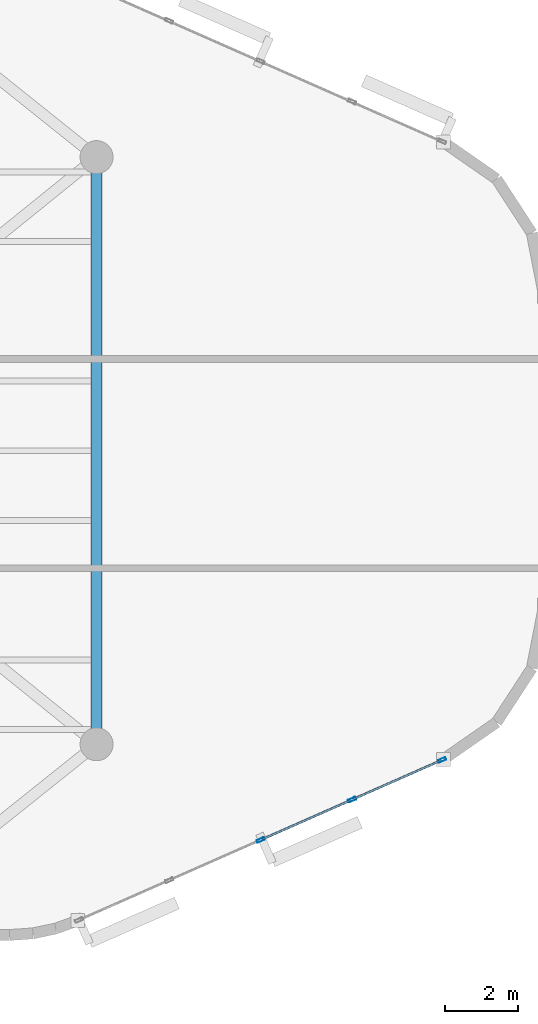
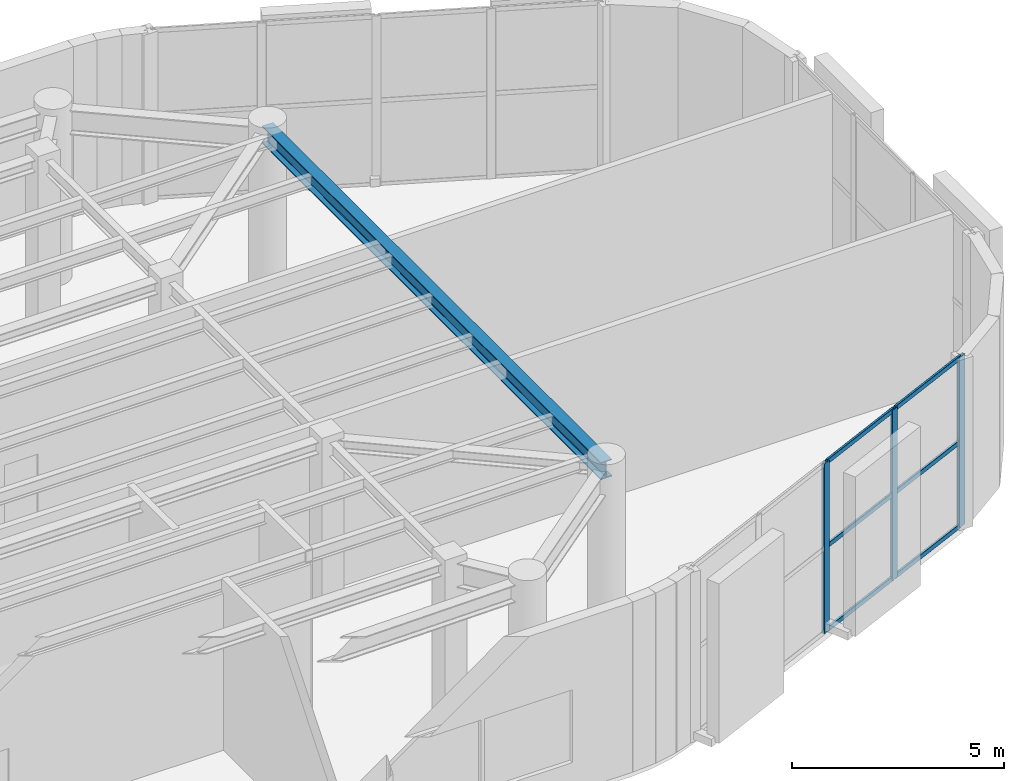
# One storey, part 3 of 12: 9 members, 1 beam, 1 element without a shape of its own.
"""IFC4 building model written with IfcOpenShell, lengths in metres."""

from ifc_helpers import new_model, si_unit, direction, frame, origin, origin_2d, place, context, subcontext, project, spatial, hollow_rectangle, i_section, extrude, material, layer, layer_set, material_profile, profile_set, type_object, element, aggregate, save


model = new_model("IFC4")

# Units and contexts
model_context = context("Model", 3, precision=1e-05, world=origin(), true_north=direction((0.0, 1.0)))
body_context = subcontext(model_context, "Body", "Model", "MODEL_VIEW")
ifc_project = project(units=[si_unit("LENGTHUNIT", "METRE"), si_unit("AREAUNIT", "SQUARE_METRE"), si_unit("VOLUMEUNIT", "CUBIC_METRE"), si_unit("PLANEANGLEUNIT", "RADIAN"), si_unit("MASSUNIT", "GRAM", prefix="KILO")], contexts=[model_context])

# Site, building, storey
site_placement = place(None, origin())
site = spatial("IfcSite", under=ifc_project, at=site_placement, CompositionType="ELEMENT")
building_placement = place(site_placement, origin())
building = spatial("IfcBuilding", under=site, at=building_placement, Name="An Khanh Terracotta Commons", CompositionType="ELEMENT")
storey_placement = place(building_placement, frame((0.0, 0.0, 253.699951171875)))
storey = spatial("IfcBuildingStorey", under=building, at=storey_placement, Name="L66", CompositionType="ELEMENT", Elevation=253.699951171875)

# Beam
ifc_material_1 = material(Name="Steel S355J2", Category="steel")
ifc_material_profile_1 = material_profile(ifc_material_1, i_section(OverallWidth=0.300048828125, OverallDepth=0.5, WebThickness=0.014404296875, FlangeThickness=0.028076171875, FilletRadius=0.027099609375, at=origin_2d()), Name="HEB500")
ifc_profile_set_1 = profile_set([ifc_material_profile_1], Name="Steel S355J2")
beam_type = type_object("IfcBeamType", Name="BM-HEB500", PredefinedType="BEAM", material=ifc_profile_set_1)
beam_placement = place(storey_placement, frame((63.39990234375, 16.0, 4.650146484375), z_axis=(0.0, 1.0, 0.0), x_axis=(-1.0, 0.0, 0.0)))
element("IfcBeam", 1, at=beam_placement, inside=storey, type_object=beam_type, Name="L66 Perimeter Ring Spandrel 3", PredefinedType="BEAM", context=body_context, shape_type="SweptSolid", body=[
    extrude(i_section(OverallWidth=0.300048828125, OverallDepth=0.5, WebThickness=0.014404296875, FlangeThickness=0.028076171875, FilletRadius=0.027099609375, at=origin_2d()), origin(), (0.0, 0.0, 1.0), 16.0),
])

# Curtain wall, members
ifc_material_2 = material(Name="Anodised Aluminium 6063-T6", Category="aluminium")
ifc_layer = layer(ifc_material_2, 0.239990234375, Name="Anodised Aluminium 6063-T6")
ifc_layer_set = layer_set([ifc_layer], Name="Anodised Aluminium 6063-T6")
curtain_wall_type = type_object("IfcCurtainWallType", Name="CW-SYS-04", PredefinedType="USERDEFINED", material=ifc_layer_set)
curtain_wall_placement = place(storey_placement, origin())
curtain_wall = element("IfcCurtainWall", 2, at=curtain_wall_placement, inside=storey, type_object=curtain_wall_type, Name="L66 CW-04 Unitised Curtain Wall CW-L66-08", ObjectType="UNITISED CURTAIN WALL", PredefinedType="USERDEFINED")
ifc_material_profile_2 = material_profile(ifc_material_2, hollow_rectangle(XDim=0.080078125, YDim=0.219970703125, WallThickness=0.0048828125, InnerFilletRadius=0.0048828125, OuterFilletRadius=0.010009765625, at=origin_2d()), Name="RHS220x80x5")
ifc_profile_set_2 = profile_set([ifc_material_profile_2], Name="Anodised Aluminium 6063-T6")
member_type_1 = type_object("IfcMemberType", Name="CWM-RHS220x80x5", PredefinedType="MULLION", material=ifc_profile_set_2)
member_1_placement = place(storey_placement, frame((67.8720703125, 13.390380859375, 0.0), z_axis=(0.0, 0.0, 1.0), x_axis=(-0.403676354285, 0.914901853201, 0.0)))
member_1 = element("IfcMember", 3, at=member_1_placement, type_object=member_type_1, Name="CW-04 mullion 3", PredefinedType="MULLION", context=body_context, shape_type="SweptSolid", body=[
    extrude(hollow_rectangle(XDim=0.080078125, YDim=0.219970703125, WallThickness=0.0048828125, InnerFilletRadius=0.0048828125, OuterFilletRadius=0.010009765625, at=origin_2d()), origin(), (0.0, 0.0, 1.0), 4.900146484375),
])
member_2_placement = place(storey_placement, frame((70.364501953125, 14.490234375, 0.0), z_axis=(0.0, 0.0, 1.0), x_axis=(-0.403676354285, 0.914901853201, 0.0)))
member_2 = element("IfcMember", 4, at=member_2_placement, type_object=member_type_1, Name="CW-04 mullion 4", PredefinedType="MULLION", context=body_context, shape_type="SweptSolid", body=[
    extrude(hollow_rectangle(XDim=0.080078125, YDim=0.219970703125, WallThickness=0.0048828125, InnerFilletRadius=0.0048828125, OuterFilletRadius=0.010009765625, at=origin_2d()), origin(), (0.0, 0.0, 1.0), 4.900146484375),
])
member_3_placement = place(storey_placement, frame((72.8203125, 15.573974609375, 0.0), z_axis=(0.0, 0.0, 1.0), x_axis=(-0.403676354285, 0.914901853201, 0.0)))
member_3 = element("IfcMember", 5, at=member_3_placement, type_object=member_type_1, Name="CW-04 mullion 5", PredefinedType="MULLION", context=body_context, shape_type="SweptSolid", body=[
    extrude(hollow_rectangle(XDim=0.080078125, YDim=0.219970703125, WallThickness=0.0048828125, InnerFilletRadius=0.0048828125, OuterFilletRadius=0.010009765625, at=origin_2d()), origin(), (0.0, 0.0, 1.0), 4.900146484375),
])
ifc_material_profile_3 = material_profile(ifc_material_2, hollow_rectangle(XDim=0.06005859375, YDim=0.135009765625, WallThickness=0.003662109375, InnerFilletRadius=0.003662109375, OuterFilletRadius=0.007080078125, at=origin_2d()), Name="RHS135x60x3.6")
ifc_profile_set_3 = profile_set([ifc_material_profile_3], Name="Anodised Aluminium 6063-T6")
member_type_2 = type_object("IfcMemberType", Name="CWT-RHS135x60x3.6", PredefinedType="USERDEFINED", material=ifc_profile_set_3)
member_4_placement = place(storey_placement, frame((67.90869140625, 13.40673828125, 0.030029296875), z_axis=(0.914904763816, 0.403669757534, 0.0), x_axis=(-0.403669757534, 0.914904763816, 0.0)))
member_4 = element("IfcMember", 6, at=member_4_placement, type_object=member_type_2, Name="CW-04 transom 3.1", ObjectType="TRANSOM", PredefinedType="USERDEFINED", context=body_context, shape_type="SweptSolid", body=[
    extrude(hollow_rectangle(XDim=0.06005859375, YDim=0.135009765625, WallThickness=0.003662109375, InnerFilletRadius=0.003662109375, OuterFilletRadius=0.007080078125, at=origin_2d()), origin(), (0.0, 0.0, 1.0), 2.644287109375),
])
member_5_placement = place(storey_placement, frame((67.90869140625, 13.40673828125, 2.449951171875), z_axis=(0.914904763816, 0.403669757534, 0.0), x_axis=(-0.403669757534, 0.914904763816, 0.0)))
member_5 = element("IfcMember", 7, at=member_5_placement, type_object=member_type_2, Name="CW-04 transom 3.2", ObjectType="TRANSOM", PredefinedType="USERDEFINED", context=body_context, shape_type="SweptSolid", body=[
    extrude(hollow_rectangle(XDim=0.06005859375, YDim=0.135009765625, WallThickness=0.003662109375, InnerFilletRadius=0.003662109375, OuterFilletRadius=0.007080078125, at=origin_2d()), origin(), (0.0, 0.0, 1.0), 2.644287109375),
])
member_6_placement = place(storey_placement, frame((67.90869140625, 13.40673828125, 4.8701171875), z_axis=(0.914904763816, 0.403669757534, 0.0), x_axis=(-0.403669757534, 0.914904763816, 0.0)))
member_6 = element("IfcMember", 8, at=member_6_placement, type_object=member_type_2, Name="CW-04 transom 3.3", ObjectType="TRANSOM", PredefinedType="USERDEFINED", context=body_context, shape_type="SweptSolid", body=[
    extrude(hollow_rectangle(XDim=0.06005859375, YDim=0.135009765625, WallThickness=0.003662109375, InnerFilletRadius=0.003662109375, OuterFilletRadius=0.007080078125, at=origin_2d()), origin(), (0.0, 0.0, 1.0), 2.644287109375),
])
member_7_placement = place(storey_placement, frame((70.401123046875, 14.50634765625, 0.030029296875), z_axis=(0.914898453294, 0.40368405983, 0.0), x_axis=(-0.40368405983, 0.914898453294, 0.0)))
member_7 = element("IfcMember", 9, at=member_7_placement, type_object=member_type_2, Name="CW-04 transom 4.1", ObjectType="TRANSOM", PredefinedType="USERDEFINED", context=body_context, shape_type="SweptSolid", body=[
    extrude(hollow_rectangle(XDim=0.06005859375, YDim=0.135009765625, WallThickness=0.003662109375, InnerFilletRadius=0.003662109375, OuterFilletRadius=0.007080078125, at=origin_2d()), origin(), (0.0, 0.0, 1.0), 2.604248046875),
])
member_8_placement = place(storey_placement, frame((70.401123046875, 14.50634765625, 2.449951171875), z_axis=(0.914898453294, 0.40368405983, 0.0), x_axis=(-0.40368405983, 0.914898453294, 0.0)))
member_8 = element("IfcMember", 10, at=member_8_placement, type_object=member_type_2, Name="CW-04 transom 4.2", ObjectType="TRANSOM", PredefinedType="USERDEFINED", context=body_context, shape_type="SweptSolid", body=[
    extrude(hollow_rectangle(XDim=0.06005859375, YDim=0.135009765625, WallThickness=0.003662109375, InnerFilletRadius=0.003662109375, OuterFilletRadius=0.007080078125, at=origin_2d()), origin(), (0.0, 0.0, 1.0), 2.604248046875),
])
member_9_placement = place(storey_placement, frame((70.401123046875, 14.50634765625, 4.8701171875), z_axis=(0.914898453294, 0.40368405983, 0.0), x_axis=(-0.40368405983, 0.914898453294, 0.0)))
member_9 = element("IfcMember", 11, at=member_9_placement, type_object=member_type_2, Name="CW-04 transom 4.3", ObjectType="TRANSOM", PredefinedType="USERDEFINED", context=body_context, shape_type="SweptSolid", body=[
    extrude(hollow_rectangle(XDim=0.06005859375, YDim=0.135009765625, WallThickness=0.003662109375, InnerFilletRadius=0.003662109375, OuterFilletRadius=0.007080078125, at=origin_2d()), origin(), (0.0, 0.0, 1.0), 2.604248046875),
])
aggregate(curtain_wall, [member_1, member_2, member_3, member_4, member_5, member_6, member_7, member_8, member_9])

save(model, "model.ifc")
